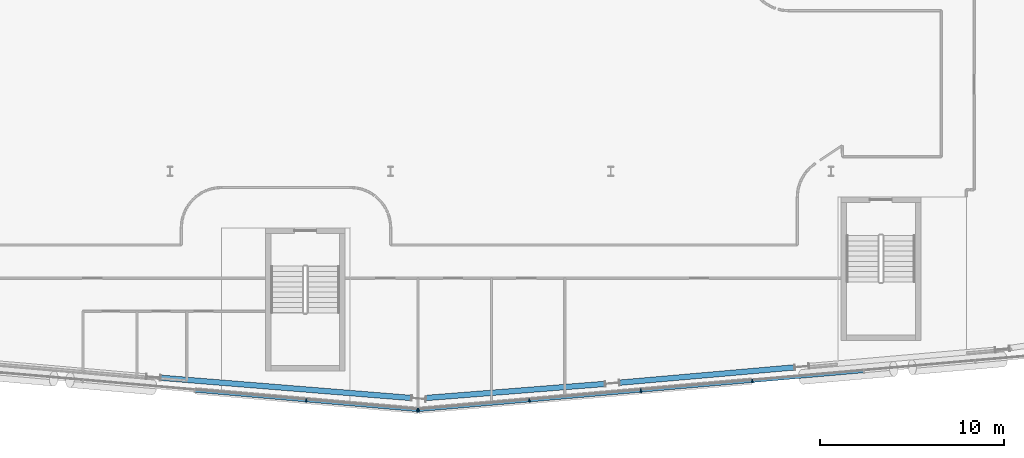
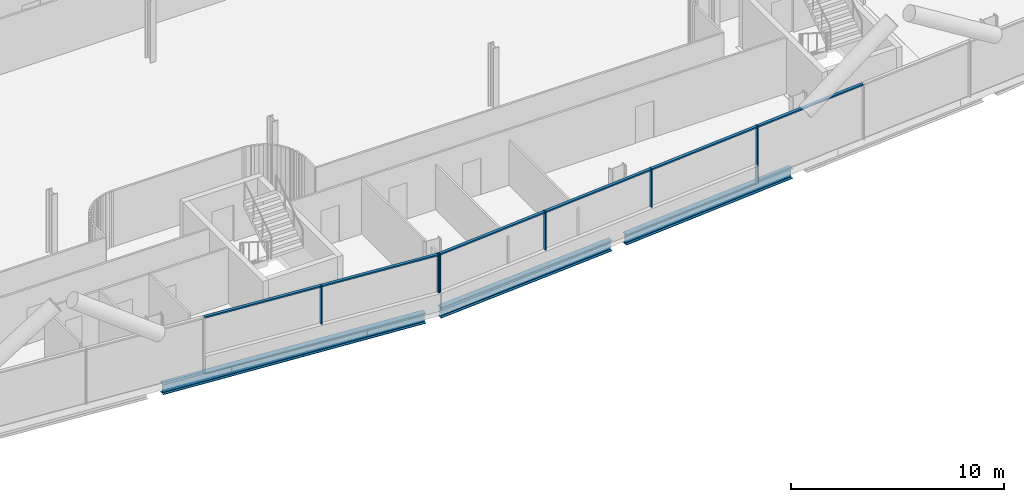
# One storey, part 7 of 30: 12 members, 3 beams, 2 elements without a shape of their own.
"""IFC4 building model written with IfcOpenShell, lengths in metres."""

from ifc_helpers import new_model, si_unit, direction, frame, origin, origin_2d, place, context, subcontext, project, spatial, rectangle, i_section, extrude, material, material_profile, profile_set, type_object, element, aggregate, save


model = new_model("IFC4")

# Units and contexts
model_context = context("Model", 3, precision=1e-05, world=origin(), true_north=direction((0.0, 1.0)))
body_context = subcontext(model_context, "Body", "Model", "MODEL_VIEW")
ifc_project = project(units=[si_unit("LENGTHUNIT", "METRE"), si_unit("AREAUNIT", "SQUARE_METRE"), si_unit("VOLUMEUNIT", "CUBIC_METRE"), si_unit("PLANEANGLEUNIT", "RADIAN"), si_unit("MASSUNIT", "GRAM", prefix="KILO")], contexts=[model_context])

# Site, building, storey
site_placement = place(None, origin())
site = spatial("IfcSite", under=ifc_project, at=site_placement, CompositionType="ELEMENT")
building_placement = place(site_placement, origin())
building = spatial("IfcBuilding", under=site, at=building_placement, Name="Wharfspan Tower", CompositionType="ELEMENT")
storey_placement = place(building_placement, frame((0.0, 0.0, 100.300049)))
storey = spatial("IfcBuildingStorey", under=building, at=storey_placement, Name="L22", CompositionType="ELEMENT", Elevation=100.300049)

# Beams
ifc_material_1 = material(Name="Steel S355J2", Category="steel")
ifc_material_profile_1 = material_profile(ifc_material_1, i_section(OverallWidth=0.300049, OverallDepth=0.600098, WebThickness=0.015381, FlangeThickness=0.030029, FilletRadius=0.0271, at=origin_2d()))
ifc_profile_set_1 = profile_set([ifc_material_profile_1], Name="Steel S355J2")
beam_type = type_object("IfcBeamType", Name="Edge beam HEB 600", PredefinedType="SPANDREL", material=ifc_profile_set_1)
beam_1_placement = place(storey_placement, frame((35.490967, 0.252197, -0.699951), z_axis=(0.996756, -0.080488, 0.0), x_axis=(0.080488, 0.996756, 0.0)))
element("IfcBeam", 1, at=beam_1_placement, inside=storey, type_object=beam_type, Name="Edge beam S1 L22 PS1.3 to PS1.4", PredefinedType="SPANDREL", context=body_context, shape_type="SweptSolid", body=[
    extrude(i_section(OverallWidth=0.300049, OverallDepth=0.600098, WebThickness=0.015381, FlangeThickness=0.030029, FilletRadius=0.0271, at=origin_2d()), origin(), (0.0, 0.0, 1.0), 13.683105),
])
beam_2_placement = place(storey_placement, frame((49.938721, -0.849365, -0.699951), z_axis=(0.996913, 0.078508, 0.0), x_axis=(-0.078508, 0.996913, 0.0)))
element("IfcBeam", 2, at=beam_2_placement, inside=storey, type_object=beam_type, Name="Edge beam S2 L22 PS1.4 to PS2.1", PredefinedType="SPANDREL", context=body_context, shape_type="SweptSolid", body=[
    extrude(i_section(OverallWidth=0.300049, OverallDepth=0.600098, WebThickness=0.015381, FlangeThickness=0.030029, FilletRadius=0.0271, at=origin_2d()), origin(), (0.0, 0.0, 1.0), 9.767578),
])
beam_3_placement = place(storey_placement, frame((60.479492, -0.015625, -0.699951), z_axis=(0.996194, 0.087164, 0.0), x_axis=(-0.087164, 0.996194, 0.0)))
element("IfcBeam", 3, at=beam_3_placement, inside=storey, type_object=beam_type, Name="Edge beam S2 L22 PS2.1 to PS2.2", PredefinedType="SPANDREL", context=body_context, shape_type="SweptSolid", body=[
    extrude(i_section(OverallWidth=0.300049, OverallDepth=0.600098, WebThickness=0.015381, FlangeThickness=0.030029, FilletRadius=0.0271, at=origin_2d()), origin(), (0.0, 0.0, 1.0), 9.55957),
])

# Curtain wall, members
ifc_material_2 = material(Name="Aluminium 6063-T6", Category="aluminium")
curtain_wall_type = type_object("IfcCurtainWallType", Name="CURTAIN WALL FACETED FRONT", PredefinedType="NOTDEFINED", material=ifc_material_2)
curtain_wall_1_placement = place(storey_placement, origin())
curtain_wall_1 = element("IfcCurtainWall", 4, at=curtain_wall_1_placement, inside=storey, type_object=curtain_wall_type, Name="Curtain wall S1", PredefinedType="NOTDEFINED")
ifc_material_profile_2 = material_profile(ifc_material_2, rectangle(XDim=0.199951, YDim=0.060059, at=origin_2d()))
ifc_profile_set_2 = profile_set([ifc_material_profile_2], Name="Aluminium 6063-T6")
member_type_1 = type_object("IfcMemberType", Name="MULLION FACETED FRONT 60x200", PredefinedType="MULLION", material=ifc_profile_set_2)
member_1_placement = place(storey_placement, frame((43.416748, -0.986084, 1.0), z_axis=(0.0, 0.0, 1.0), x_axis=(0.087156, 0.996198, 0.0)))
member_1 = element("IfcMember", 5, at=member_1_placement, type_object=member_type_1, Name="Curtain wall S1 mullion 6", PredefinedType="MULLION", context=body_context, shape_type="SweptSolid", body=[
    extrude(rectangle(XDim=0.199951, YDim=0.060059, at=origin_2d()), origin(), (0.0, 0.0, 1.0), 2.199951),
])
member_2_placement = place(storey_placement, frame((49.470215, -1.515625, 1.0), z_axis=(0.0, 0.0, 1.0), x_axis=(0.087156, 0.996198, 0.0)))
member_2 = element("IfcMember", 6, at=member_2_placement, type_object=member_type_1, Name="Curtain wall S1 mullion 7", PredefinedType="MULLION", context=body_context, shape_type="SweptSolid", body=[
    extrude(rectangle(XDim=0.199951, YDim=0.060059, at=origin_2d()), origin(), (0.0, 0.0, 1.0), 2.199951),
])

curtain_wall_2_placement = place(storey_placement, origin())
curtain_wall_2 = element("IfcCurtainWall", 7, at=curtain_wall_2_placement, inside=storey, type_object=curtain_wall_type, Name="Curtain wall S2", PredefinedType="NOTDEFINED")
member_3_placement = place(storey_placement, frame((49.529785, -1.515625, 1.0), z_axis=(0.0, 0.0, 1.0), x_axis=(-0.087156, 0.996198, 0.0)))
member_3 = element("IfcMember", 8, at=member_3_placement, type_object=member_type_1, Name="Curtain wall S2 mullion 1", PredefinedType="MULLION", context=body_context, shape_type="SweptSolid", body=[
    extrude(rectangle(XDim=0.199951, YDim=0.060059, at=origin_2d()), origin(), (0.0, 0.0, 1.0), 2.199951),
])
member_4_placement = place(storey_placement, frame((55.571533, -0.987061, 1.0), z_axis=(0.0, 0.0, 1.0), x_axis=(-0.087156, 0.996198, 0.0)))
member_4 = element("IfcMember", 9, at=member_4_placement, type_object=member_type_1, Name="Curtain wall S2 mullion 2", PredefinedType="MULLION", context=body_context, shape_type="SweptSolid", body=[
    extrude(rectangle(XDim=0.199951, YDim=0.060059, at=origin_2d()), origin(), (0.0, 0.0, 1.0), 2.199951),
])
member_5_placement = place(storey_placement, frame((61.642822, -0.455811, 1.0), z_axis=(0.0, 0.0, 1.0), x_axis=(-0.087156, 0.996198, 0.0)))
member_5 = element("IfcMember", 10, at=member_5_placement, type_object=member_type_1, Name="Curtain wall S2 mullion 3", PredefinedType="MULLION", context=body_context, shape_type="SweptSolid", body=[
    extrude(rectangle(XDim=0.199951, YDim=0.060059, at=origin_2d()), origin(), (0.0, 0.0, 1.0), 2.199951),
])
member_6_placement = place(storey_placement, frame((67.714355, 0.075195, 0.0), z_axis=(0.0, 0.0, 1.0), x_axis=(-0.087156, 0.996198, 0.0)))
member_6 = element("IfcMember", 11, at=member_6_placement, type_object=member_type_1, Name="Curtain wall S2 mullion 4", PredefinedType="MULLION", context=body_context, shape_type="SweptSolid", body=[
    extrude(rectangle(XDim=0.199951, YDim=0.060059, at=origin_2d()), origin(), (0.0, 0.0, 1.0), 3.199951),
])

# Member
ifc_material_profile_3 = material_profile(ifc_material_2, rectangle(XDim=0.159912, YDim=0.080078, at=origin_2d()))
ifc_profile_set_3 = profile_set([ifc_material_profile_3], Name="Aluminium 6063-T6")
member_type_2 = type_object("IfcMemberType", Name="TRANSOM FACETED FRONT 80x160", PredefinedType="USERDEFINED", material=ifc_profile_set_3)
member_7_placement = place(storey_placement, frame((37.363281, -0.456543, 3.159912), z_axis=(0.996197, -0.087135, 0.0), x_axis=(0.087135, 0.996197, 0.0)))
member_7 = element("IfcMember", 12, at=member_7_placement, type_object=member_type_2, Name="Curtain wall S1 transom 5", ObjectType="TRANSOM", PredefinedType="USERDEFINED", context=body_context, shape_type="SweptSolid", body=[
    extrude(rectangle(XDim=0.159912, YDim=0.080078, at=origin_2d()), origin(), (0.0, 0.0, 1.0), 6.046387),
])

member_8_placement = place(storey_placement, frame((43.446533, -0.98877, 3.159912), z_axis=(0.996198, -0.087122, 0.0), x_axis=(0.087122, 0.996198, 0.0)))
member_8 = element("IfcMember", 13, at=member_8_placement, type_object=member_type_2, Name="Curtain wall S1 transom 6", ObjectType="TRANSOM", PredefinedType="USERDEFINED", context=body_context, shape_type="SweptSolid", body=[
    extrude(rectangle(XDim=0.159912, YDim=0.080078, at=origin_2d()), origin(), (0.0, 0.0, 1.0), 6.016602),
])

aggregate(curtain_wall_1, [member_1, member_2, member_7, member_8])

member_9_placement = place(storey_placement, frame((49.559814, -1.512939, 3.159912), z_axis=(0.996197, 0.087133, 0.0), x_axis=(-0.087133, 0.996197, 0.0)))
member_9 = element("IfcMember", 14, at=member_9_placement, type_object=member_type_2, Name="Curtain wall S2 transom 1", ObjectType="TRANSOM", PredefinedType="USERDEFINED", context=body_context, shape_type="SweptSolid", body=[
    extrude(rectangle(XDim=0.159912, YDim=0.080078, at=origin_2d()), origin(), (0.0, 0.0, 1.0), 6.004639),
])

member_10_placement = place(storey_placement, frame((55.601318, -0.984375, 3.159912), z_axis=(0.996196, 0.087143, 0.0), x_axis=(-0.087143, 0.996196, 0.0)))
member_10 = element("IfcMember", 15, at=member_10_placement, type_object=member_type_2, Name="Curtain wall S2 transom 2", ObjectType="TRANSOM", PredefinedType="USERDEFINED", context=body_context, shape_type="SweptSolid", body=[
    extrude(rectangle(XDim=0.159912, YDim=0.080078, at=origin_2d()), origin(), (0.0, 0.0, 1.0), 6.034668),
])

member_11_placement = place(storey_placement, frame((61.672852, -0.453369, 3.159912), z_axis=(0.996192, 0.087187, 0.0), x_axis=(-0.087187, 0.996192, 0.0)))
member_11 = element("IfcMember", 16, at=member_11_placement, type_object=member_type_2, Name="Curtain wall S2 transom 3", ObjectType="TRANSOM", PredefinedType="USERDEFINED", context=body_context, shape_type="SweptSolid", body=[
    extrude(rectangle(XDim=0.159912, YDim=0.080078, at=origin_2d()), origin(), (0.0, 0.0, 1.0), 6.034424),
])

member_12_placement = place(storey_placement, frame((67.744141, 0.077881, 3.159912), z_axis=(0.996196, 0.087143, 0.0), x_axis=(-0.087143, 0.996196, 0.0)))
member_12 = element("IfcMember", 17, at=member_12_placement, type_object=member_type_2, Name="Curtain wall S2 transom 4", ObjectType="TRANSOM", PredefinedType="USERDEFINED", context=body_context, shape_type="SweptSolid", body=[
    extrude(rectangle(XDim=0.159912, YDim=0.080078, at=origin_2d()), origin(), (0.0, 0.0, 1.0), 6.034668),
])

aggregate(curtain_wall_2, [member_3, member_4, member_5, member_6, member_9, member_10, member_11, member_12])

save(model, "model.ifc")
